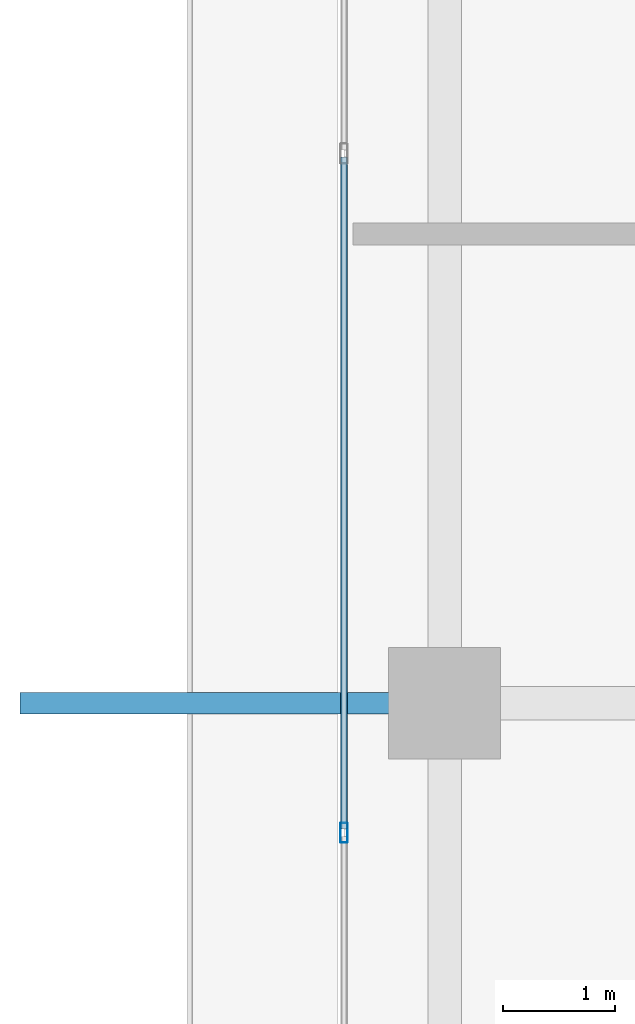
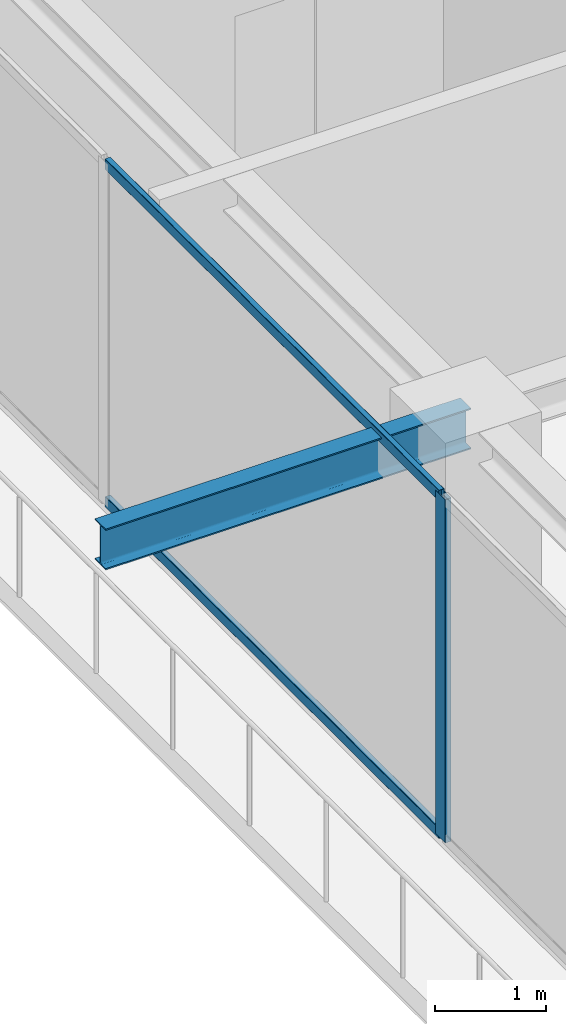
# One storey, part 10 of 39: 3 members, 1 beam, 1 element without a shape of its own.
"""IFC4 building model written with IfcOpenShell, lengths in metres."""

from ifc_helpers import new_model, si_unit, direction, frame, origin, origin_2d, place, context, subcontext, project, spatial, hollow_rectangle, i_section, extrude, source, transform, mapped, material, layer, layer_set, material_profile, profile_set, type_object, element, aggregate, save


model = new_model("IFC4")

# Units and contexts
model_context = context("Model", 3, precision=1e-05, world=origin(), true_north=direction((0.0, 1.0)))
body_context = subcontext(model_context, "Body", "Model", "MODEL_VIEW")
ifc_project = project(units=[si_unit("LENGTHUNIT", "METRE"), si_unit("AREAUNIT", "SQUARE_METRE"), si_unit("VOLUMEUNIT", "CUBIC_METRE"), si_unit("PLANEANGLEUNIT", "RADIAN"), si_unit("MASSUNIT", "GRAM", prefix="KILO")], contexts=[model_context])

# Site, building, storey
site_placement = place(None, origin())
site = spatial("IfcSite", under=ifc_project, at=site_placement, CompositionType="ELEMENT")
building_placement = place(site_placement, origin())
building = spatial("IfcBuilding", under=site, at=building_placement, Name="Serunith Strait Residences", CompositionType="ELEMENT")
storey_placement = place(building_placement, frame((0.0, 0.0, 329.89990234375)))
storey = spatial("IfcBuildingStorey", under=building, at=storey_placement, Name="L82", CompositionType="ELEMENT", Elevation=329.89990234375)

# Beam
ifc_material_1 = material(Name="Steel S355J2", Category="steel")
ifc_material_profile_1 = material_profile(ifc_material_1, i_section(OverallWidth=0.18994140625, OverallDepth=0.449951171875, WebThickness=0.009521484375, FlangeThickness=0.0146484375, FilletRadius=0.02099609375, at=origin_2d()), Name="IPE 450")
ifc_profile_set_1 = profile_set([ifc_material_profile_1], Name="Steel S355J2")
beam_type = type_object("IfcBeamType", Name="BM-IPE450", PredefinedType="JOIST", material=ifc_profile_set_1)
shared_shape_1 = source(origin(), body_context, "Body", "SweptSolid", [
    extrude(i_section(OverallWidth=0.18994140625, OverallDepth=0.449951171875, WebThickness=0.009521484375, FlangeThickness=0.0146484375, FilletRadius=0.02099609375, at=origin_2d()), origin(), (0.0, 0.0, 1.0), 3.800048828125),
])
beam_placement = place(storey_placement, frame((10.10009765625, 29.39990234375, 3.531982421875), z_axis=(-1.0, 0.0, 0.0), x_axis=(0.0, -1.0, 0.0)))
element("IfcBeam", 1, at=beam_placement, inside=storey, type_object=beam_type, Name="L83 Cantilevered Balcony Rib TC-W3", PredefinedType="JOIST", context=body_context, shape_type="MappedRepresentation", body=[
    mapped(shared_shape_1, transform((0.0, 0.0, 0.0), scale=1.0)),
])

# Curtain wall, members
ifc_material_2 = material(Name="Brushed Stainless-Silver Aluminium", Category="aluminium")
ifc_layer = layer(ifc_material_2, 0.199951171875, Name="Brushed Stainless-Silver Aluminium")
ifc_layer_set = layer_set([ifc_layer], Name="Brushed Stainless-Silver Aluminium")
curtain_wall_type = type_object("IfcCurtainWallType", Name="CW-SYS5", PredefinedType="NOTDEFINED", material=ifc_layer_set)
curtain_wall_placement = place(storey_placement, origin())
curtain_wall = element("IfcCurtainWall", 2, at=curtain_wall_placement, inside=storey, type_object=curtain_wall_type, Name="L82 W Unitised Fritted Curtain Wall", PredefinedType="NOTDEFINED")
ifc_material_profile_2 = material_profile(ifc_material_2, hollow_rectangle(XDim=0.06494140625, YDim=0.179931640625, WallThickness=0.00341796875, InnerFilletRadius=0.00537109375, OuterFilletRadius=0.0087890625, at=origin_2d()), Name="ALU 180x65x3.5")
ifc_profile_set_2 = profile_set([ifc_material_profile_2], Name="Brushed Stainless-Silver Aluminium")
member_type_1 = type_object("IfcMemberType", Name="CW-SYS5-MULL", PredefinedType="MULLION", material=ifc_profile_set_2)
shared_shape_2 = source(origin(), body_context, "Body", "SweptSolid", [
    extrude(hollow_rectangle(XDim=0.06494140625, YDim=0.179931640625, WallThickness=0.00341796875, InnerFilletRadius=0.00537109375, OuterFilletRadius=0.0087890625, at=origin_2d()), origin(), (0.0, 0.0, 1.0), 3.775146484375),
])
member_1_placement = place(storey_placement, frame((9.199951171875, 28.239990234375, 0.0), z_axis=(0.0, 0.0, 1.0), x_axis=(1.0, 0.0, 0.0)))
member_1 = element("IfcMember", 3, at=member_1_placement, type_object=member_type_1, Name="CW-5 mullion 3", PredefinedType="MULLION", context=body_context, shape_type="MappedRepresentation", body=[
    mapped(shared_shape_2, transform((0.0, 0.0, 0.0), scale=1.0)),
])
ifc_material_profile_3 = material_profile(ifc_material_2, hollow_rectangle(XDim=0.06005859375, YDim=0.1201171875, WallThickness=0.00341796875, InnerFilletRadius=0.00537109375, OuterFilletRadius=0.0087890625, at=origin_2d()), Name="ALU 120x60x3.5")
ifc_profile_set_3 = profile_set([ifc_material_profile_3], Name="Brushed Stainless-Silver Aluminium")
member_type_2 = type_object("IfcMemberType", Name="CW-SYS5-TRAN", PredefinedType="USERDEFINED", material=ifc_profile_set_3)
shared_shape_3 = source(origin(), body_context, "Body", "SweptSolid", [
    extrude(hollow_rectangle(XDim=0.06005859375, YDim=0.1201171875, WallThickness=0.00341796875, InnerFilletRadius=0.00537109375, OuterFilletRadius=0.0087890625, at=origin_2d()), origin(), (0.0, 0.0, 1.0), 6.01513671875),
])
member_2_placement = place(storey_placement, frame((9.199951171875, 34.28759765625, 0.030029296875), z_axis=(0.0, -1.0, 0.0), x_axis=(1.0, 0.0, 0.0)))
member_2 = element("IfcMember", 4, at=member_2_placement, type_object=member_type_2, Name="CW-5 transom 2.1", ObjectType="TRANSOM", PredefinedType="USERDEFINED", context=body_context, shape_type="MappedRepresentation", body=[
    mapped(shared_shape_3, transform((0.0, 0.0, 0.0), scale=1.0)),
])
member_3_placement = place(storey_placement, frame((9.199951171875, 34.28759765625, 3.7451171875), z_axis=(0.0, -1.0, 0.0), x_axis=(1.0, 0.0, 0.0)))
member_3 = element("IfcMember", 5, at=member_3_placement, type_object=member_type_2, Name="CW-5 transom 2.2", ObjectType="TRANSOM", PredefinedType="USERDEFINED", context=body_context, shape_type="MappedRepresentation", body=[
    mapped(shared_shape_3, transform((0.0, 0.0, 0.0), scale=1.0)),
])
aggregate(curtain_wall, [member_1, member_2, member_3])

save(model, "model.ifc")
